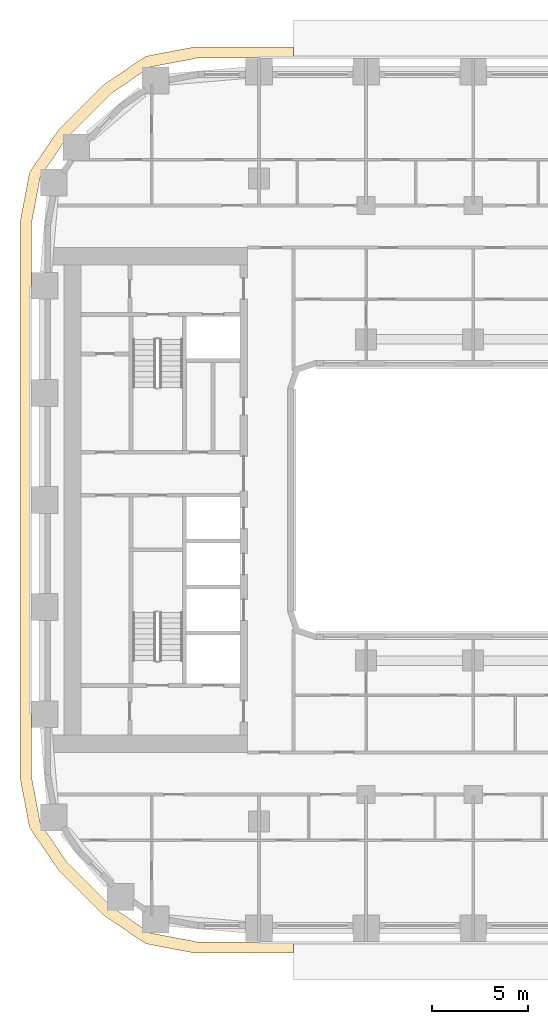
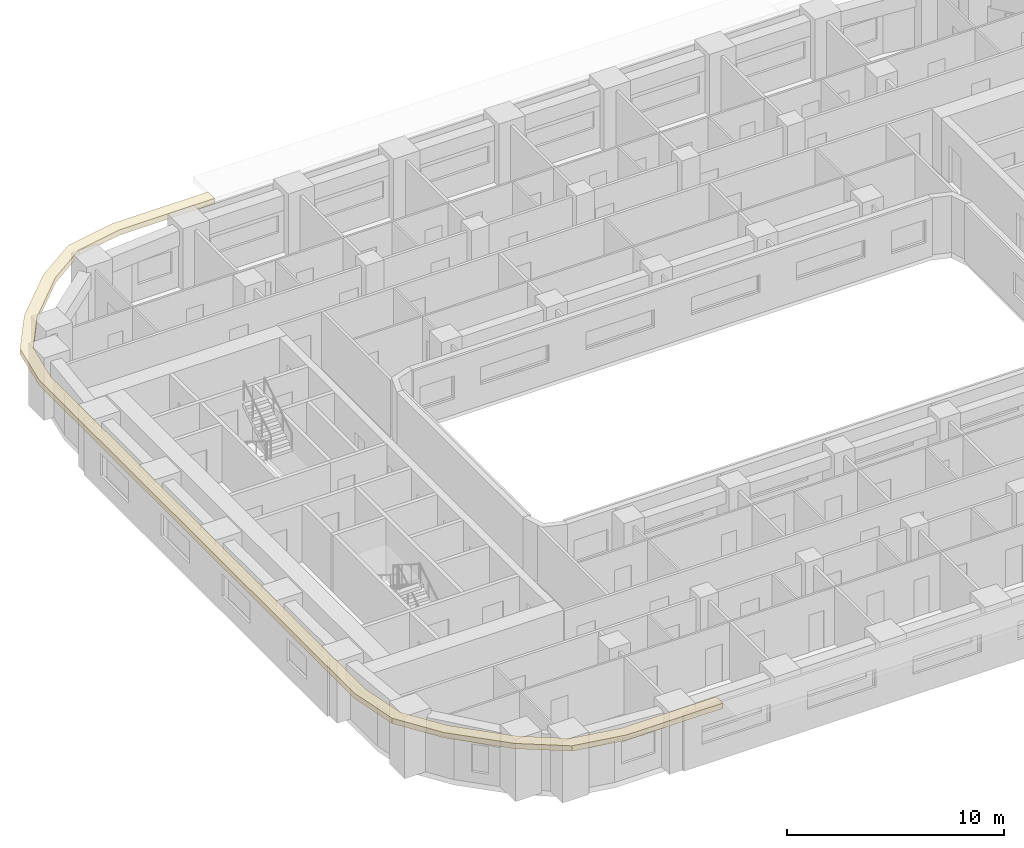
# One storey, part 15 of 22: 1 covering.
"""IFC4 building model written with IfcOpenShell, lengths in metres."""

from ifc_helpers import new_model, si_unit, direction, frame, origin, place, context, subcontext, project, spatial, polyline, outline, extrude, material, layer, layer_set, type_object, element, save


model = new_model("IFC4")

# Units and contexts
model_context = context("Model", 3, precision=1e-05, world=origin(), true_north=direction((0.0, 1.0)))
body_context = subcontext(model_context, "Body", "Model", "MODEL_VIEW")
ifc_project = project(units=[si_unit("LENGTHUNIT", "METRE"), si_unit("AREAUNIT", "SQUARE_METRE"), si_unit("VOLUMEUNIT", "CUBIC_METRE"), si_unit("PLANEANGLEUNIT", "RADIAN"), si_unit("MASSUNIT", "GRAM", prefix="KILO")], contexts=[model_context])

# Site, building, storey
site_placement = place(None, origin())
site = spatial("IfcSite", under=ifc_project, at=site_placement, CompositionType="ELEMENT")
building_placement = place(site_placement, origin())
building = spatial("IfcBuilding", under=site, at=building_placement, Name="Kiln Ring Residences", CompositionType="ELEMENT")
storey_placement = place(building_placement, frame((0.0, 0.0, 62.0)))
storey = spatial("IfcBuildingStorey", under=building, at=storey_placement, Name="L15", CompositionType="ELEMENT", Elevation=62.0)

# Covering
ifc_material = material(Name="Black powder-coated steel", Category="steel")
ifc_layer = layer(ifc_material, 0.300048828125)
ifc_layer_set = layer_set([ifc_layer], Name="SUNSHADE FIN 600")
covering_type = type_object("IfcCoveringType", Name="SUNSHADE FIN 600", PredefinedType="CLADDING", material=ifc_layer_set)
covering_placement = place(storey_placement, frame((0.0, 0.0, 3.199951171875)))
element("IfcCovering", 1, at=covering_placement, inside=storey, type_object=covering_type, Name="SUNSHADE FIN L15", PredefinedType="CLADDING", context=body_context, shape_type="SweptSolid", body=[
    extrude(outline(polyline([(-29.300048828125, -14.52294921875), (-28.80224609375, -17.13232421875), (-27.30908203125, -19.329345703125), (-24.929443359375, -21.708984375), (-22.732421875, -23.202392578125), (-20.122802734375, -23.699951171875), (-15.0, -23.699951171875), (-15.0, -23.10009765625), (-20.066162109375, -23.10009765625), (-22.497802734375, -22.63623046875), (-24.545166015625, -21.24462890625), (-26.8447265625, -18.9453125), (-28.236083984375, -16.897705078125), (-28.699951171875, -14.46630859375), (-28.699951171875, 14.46630859375), (-28.236083984375, 16.897705078125), (-26.8447265625, 18.9453125), (-24.545166015625, 21.24462890625), (-22.497802734375, 22.63623046875), (-20.066162109375, 23.10009765625), (-15.0, 23.10009765625), (-15.0, 23.699951171875), (-20.122802734375, 23.699951171875), (-22.732421875, 23.202392578125), (-24.929443359375, 21.708984375), (-27.30908203125, 19.329345703125), (-28.80224609375, 17.13232421875), (-29.300048828125, 14.52294921875), (-29.300048828125, -14.52294921875)])), origin(), (0.0, 0.0, 1.0), 0.300048828125),
])

save(model, "model.ifc")
